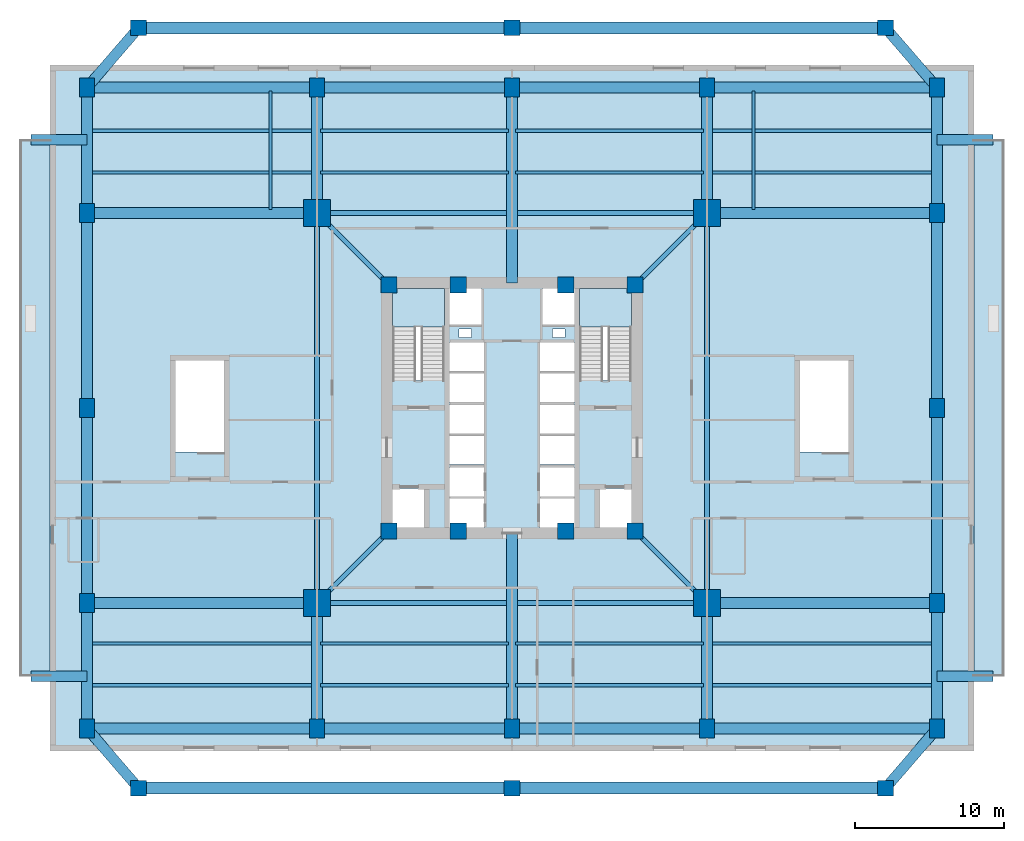
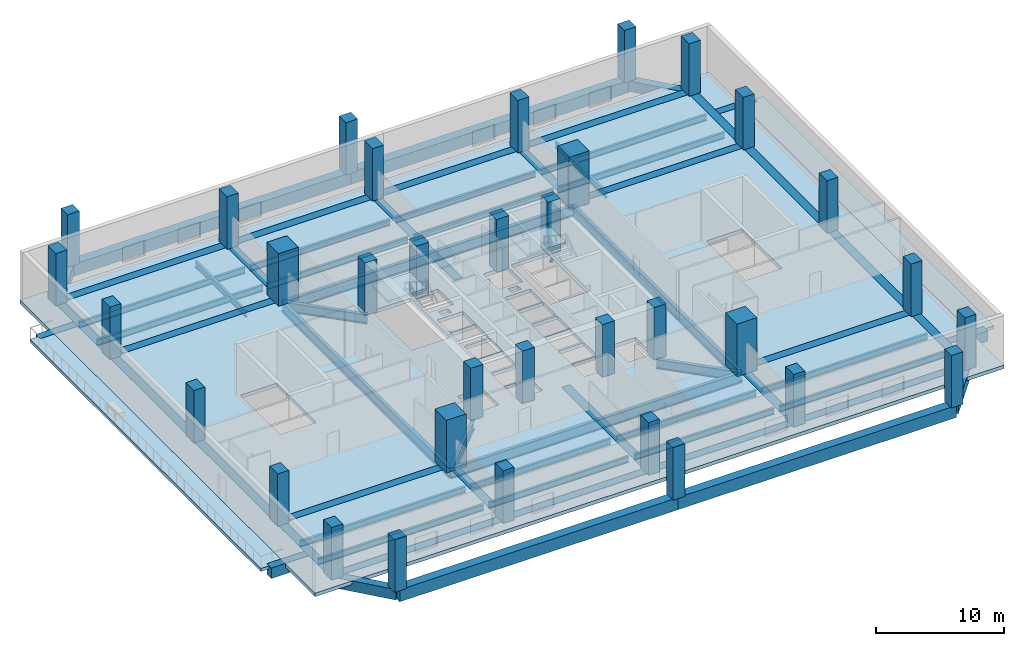
# One storey, part 1 of 8: 64 beams, 34 columns, 5 slabs, 2 elements without a shape of their own.
"""IFC4 building model written with IfcOpenShell, lengths in metres."""

from ifc_helpers import new_model, si_unit, direction, frame, origin, origin_2d, place, context, subcontext, project, spatial, polyline, rectangle, i_section, outline, extrude, source, transform, mapped, material, layer, layer_set, material_profile, profile_set, type_object, element, aggregate, save


model = new_model("IFC4")

# Units and contexts
model_context = context("Model", 3, precision=1e-05, world=origin(), true_north=direction((0.0, 1.0)))
body_context = subcontext(model_context, "Body", "Model", "MODEL_VIEW")
ifc_project = project(units=[si_unit("LENGTHUNIT", "METRE"), si_unit("AREAUNIT", "SQUARE_METRE"), si_unit("VOLUMEUNIT", "CUBIC_METRE"), si_unit("PLANEANGLEUNIT", "RADIAN"), si_unit("MASSUNIT", "GRAM", prefix="KILO"), si_unit("THERMODYNAMICTEMPERATUREUNIT", "KELVIN")], contexts=[model_context])

# Site, building, storey
site_placement = place(None, origin())
site = spatial("IfcSite", under=ifc_project, at=site_placement, CompositionType="ELEMENT")
building_placement = place(site_placement, origin())
building = spatial("IfcBuilding", under=site, at=building_placement, Name="Kosmvard Interchange Tower", CompositionType="ELEMENT")
storey_placement = place(building_placement, frame((0.0, 0.0, 21.0)))
storey = spatial("IfcBuildingStorey", under=building, at=storey_placement, Name="L04", CompositionType="ELEMENT", Elevation=21.0)

# Columns
ifc_material_1 = material(Name="Concrete C80/95", Category="concrete")
ifc_material_profile_1 = material_profile(ifc_material_1, rectangle(XDim=1.10009765625, YDim=1.10009765625, at=origin_2d()), Name="CP 1100x1100")
ifc_profile_set_1 = profile_set([ifc_material_profile_1], Name="Concrete C80/95")
column_type_1 = type_object("IfcColumnType", Name="Core Boundary Pilaster 1100x1100 C80/95", PredefinedType="PILASTER", material=ifc_profile_set_1)
shared_shape_1 = source(origin(), body_context, "Body", "SweptSolid", [
    extrude(rectangle(XDim=1.10009765625, YDim=1.10009765625, at=origin_2d()), origin(), (0.0, 0.0, 1.0), 5.0),
])
for number, where, z_axis, x_axis, name in (
    (1, (-8.25, -8.25, 0.0), (0.0, 0.0, 1.0), (1.0, 0.0, 0.0), "L04 Core Pilaster CP1"),
    (2, (8.25, -8.25, 0.0), (0.0, 0.0, 1.0), (1.0, 0.0, 0.0), "L04 Core Pilaster CP2"),
    (3, (8.25, 8.25, 0.0), (0.0, 0.0, 1.0), (1.0, 0.0, 0.0), "L04 Core Pilaster CP3"),
    (4, (-8.25, 8.25, 0.0), (0.0, 0.0, 1.0), (1.0, 0.0, 0.0), "L04 Core Pilaster CP4"),
    (5, (-3.60009765625, -8.25, 0.0), (0.0, 0.0, 1.0), (1.0, 0.0, 0.0), "L04 Core Pilaster CP5"),
    (6, (3.60009765625, -8.25, 0.0), (0.0, 0.0, 1.0), (1.0, 0.0, 0.0), "L04 Core Pilaster CP6"),
    (7, (-3.60009765625, 8.25, 0.0), (0.0, 0.0, 1.0), (1.0, 0.0, 0.0), "L04 Core Pilaster CP7"),
    (8, (3.60009765625, 8.25, 0.0), (0.0, 0.0, 1.0), (1.0, 0.0, 0.0), "L04 Core Pilaster CP8"),
):
    element("IfcColumn", number, at=place(storey_placement, frame(where, z_axis=z_axis, x_axis=x_axis)), inside=storey, type_object=column_type_1, Name=name, PredefinedType="PILASTER", context=body_context, shape_type="MappedRepresentation", body=[
        mapped(shared_shape_1, transform((0.0, 0.0, 0.0), scale=1.0)),
    ])
ifc_material_profile_2 = material_profile(ifc_material_1, rectangle(XDim=1.800048828125, YDim=1.800048828125, at=origin_2d()), Name="MC 1800x1800")
ifc_profile_set_2 = profile_set([ifc_material_profile_2], Name="Concrete C80/95")
column_type_2 = type_object("IfcColumnType", Name="Composite Mega-Column 1800x1800 C80/95", PredefinedType="COLUMN", material=ifc_profile_set_2)
shared_shape_2 = source(origin(), body_context, "Body", "SweptSolid", [
    extrude(rectangle(XDim=1.800048828125, YDim=1.800048828125, at=origin_2d()), origin(), (0.0, 0.0, 1.0), 5.0),
])
for number, where, z_axis, x_axis, name in (
    (9, (-13.0810546875, -13.0810546875, 0.0), (0.0, 0.0, 1.0), (1.0, 0.0, 0.0), "L04 Corner Mega-Column MC1"),
    (10, (13.0810546875, -13.0810546875, 0.0), (0.0, 0.0, 1.0), (1.0, 0.0, 0.0), "L04 Corner Mega-Column MC2"),
    (11, (13.0810546875, 13.0810546875, 0.0), (0.0, 0.0, 1.0), (1.0, 0.0, 0.0), "L04 Corner Mega-Column MC3"),
    (12, (-13.0810546875, 13.0810546875, 0.0), (0.0, 0.0, 1.0), (1.0, 0.0, 0.0), "L04 Corner Mega-Column MC4"),
):
    element("IfcColumn", number, at=place(storey_placement, frame(where, z_axis=z_axis, x_axis=x_axis)), inside=storey, type_object=column_type_2, Name=name, PredefinedType="COLUMN", context=body_context, shape_type="MappedRepresentation", body=[
        mapped(shared_shape_2, transform((0.0, 0.0, 0.0), scale=1.0)),
    ])
ifc_material_2 = material(Name="Concrete C60/75", Category="concrete")
ifc_material_profile_3 = material_profile(ifc_material_2, rectangle(XDim=1.0, YDim=1.25, at=origin_2d()), Name="PC 1250x1000")
ifc_profile_set_3 = profile_set([ifc_material_profile_3], Name="Concrete C60/75")
column_type_3 = type_object("IfcColumnType", Name="Podium Concourse Column 1250x1000 C60/75", PredefinedType="COLUMN", material=ifc_profile_set_3)
shared_shape_3 = source(origin(), body_context, "Body", "SweptSolid", [
    extrude(rectangle(XDim=1.0, YDim=1.25, at=origin_2d()), origin(), (0.0, 0.0, 1.0), 5.0),
])
for number, where, z_axis, x_axis, name in (
    (13, (-28.5, -21.5, 0.0), (0.0, 0.0, 1.0), (1.0, 0.0, 0.0), "L04 Podium Column PC-S1"),
    (14, (-13.0810546875, -21.5, 0.0), (0.0, 0.0, 1.0), (1.0, 0.0, 0.0), "L04 Podium Column PC-S2"),
    (15, (0.0, -21.5, 0.0), (0.0, 0.0, 1.0), (1.0, 0.0, 0.0), "L04 Podium Column PC-S3"),
    (16, (13.0810546875, -21.5, 0.0), (0.0, 0.0, 1.0), (1.0, 0.0, 0.0), "L04 Podium Column PC-S4"),
    (17, (28.5, -21.5, 0.0), (0.0, 0.0, 1.0), (1.0, 0.0, 0.0), "L04 Podium Column PC-S5"),
    (18, (-28.5, 21.5, 0.0), (0.0, 0.0, 1.0), (1.0, 0.0, 0.0), "L04 Podium Column PC-N1"),
    (19, (-13.0810546875, 21.5, 0.0), (0.0, 0.0, 1.0), (1.0, 0.0, 0.0), "L04 Podium Column PC-N2"),
    (20, (0.0, 21.5, 0.0), (0.0, 0.0, 1.0), (1.0, 0.0, 0.0), "L04 Podium Column PC-N3"),
    (21, (13.0810546875, 21.5, 0.0), (0.0, 0.0, 1.0), (1.0, 0.0, 0.0), "L04 Podium Column PC-N4"),
    (22, (28.5, 21.5, 0.0), (0.0, 0.0, 1.0), (1.0, 0.0, 0.0), "L04 Podium Column PC-N5"),
    (23, (-28.5, -13.0810546875, 0.0), (0.0, 0.0, 1.0), (1.0, 0.0, 0.0), "L04 Podium Column PC-W1"),
    (24, (-28.5, 0.0, 0.0), (0.0, 0.0, 1.0), (1.0, 0.0, 0.0), "L04 Podium Column PC-W2"),
    (25, (-28.5, 13.0810546875, 0.0), (0.0, 0.0, 1.0), (1.0, 0.0, 0.0), "L04 Podium Column PC-W3"),
    (26, (28.5, -13.0810546875, 0.0), (0.0, 0.0, 1.0), (1.0, 0.0, 0.0), "L04 Podium Column PC-E1"),
    (27, (28.5, 0.0, 0.0), (0.0, 0.0, 1.0), (1.0, 0.0, 0.0), "L04 Podium Column PC-E2"),
    (28, (28.5, 13.0810546875, 0.0), (0.0, 0.0, 1.0), (1.0, 0.0, 0.0), "L04 Podium Column PC-E3"),
):
    element("IfcColumn", number, at=place(storey_placement, frame(where, z_axis=z_axis, x_axis=x_axis)), inside=storey, type_object=column_type_3, Name=name, PredefinedType="COLUMN", context=body_context, shape_type="MappedRepresentation", body=[
        mapped(shared_shape_3, transform((0.0, 0.0, 0.0), scale=1.0)),
    ])
ifc_material_profile_4 = material_profile(ifc_material_2, rectangle(XDim=1.050048828125, YDim=1.050048828125, at=origin_2d()), Name="PC 1050x1050")
ifc_profile_set_4 = profile_set([ifc_material_profile_4], Name="Concrete C60/75")
column_type_4 = type_object("IfcColumnType", Name="Podium Perimeter Column 1050x1050 C60/75", PredefinedType="COLUMN", material=ifc_profile_set_4)
shared_shape_4 = source(origin(), body_context, "Body", "SweptSolid", [
    extrude(rectangle(XDim=1.050048828125, YDim=1.050048828125, at=origin_2d()), origin(), (0.0, 0.0, 1.0), 5.0),
])
for number, where, z_axis, x_axis, name in (
    (29, (-25.050048828125, -25.5, 0.0), (0.0, 0.0, 1.0), (1.0, 0.0, 0.0), "L04 Podium Column PC-TS1"),
    (30, (0.0, -25.5, 0.0), (0.0, 0.0, 1.0), (1.0, 0.0, 0.0), "L04 Podium Column PC-TS2"),
    (31, (25.050048828125, -25.5, 0.0), (0.0, 0.0, 1.0), (1.0, 0.0, 0.0), "L04 Podium Column PC-TS3"),
    (32, (-25.050048828125, 25.5, 0.0), (0.0, 0.0, 1.0), (1.0, 0.0, 0.0), "L04 Podium Column PC-TN1"),
    (33, (0.0, 25.5, 0.0), (0.0, 0.0, 1.0), (1.0, 0.0, 0.0), "L04 Podium Column PC-TN2"),
    (34, (25.050048828125, 25.5, 0.0), (0.0, 0.0, 1.0), (1.0, 0.0, 0.0), "L04 Podium Column PC-TN3"),
):
    element("IfcColumn", number, at=place(storey_placement, frame(where, z_axis=z_axis, x_axis=x_axis)), inside=storey, type_object=column_type_4, Name=name, PredefinedType="COLUMN", context=body_context, shape_type="MappedRepresentation", body=[
        mapped(shared_shape_4, transform((0.0, 0.0, 0.0), scale=1.0)),
    ])

# Beams
ifc_material_3 = material(Name="Steel S460", Category="steel")
ifc_material_profile_5 = material_profile(ifc_material_3, i_section(OverallWidth=0.30810546875, OverallDepth=0.909912109375, WebThickness=0.02099609375, FlangeThickness=0.0400390625, FilletRadius=0.027099609375, at=origin_2d()), Name="HEM 900")
ifc_profile_set_5 = profile_set([ifc_material_profile_5], Name="Steel S460")
beam_type_1 = type_object("IfcBeamType", Name="Primary Mega-Frame Girder HEM 900 S460", PredefinedType="BEAM", material=ifc_profile_set_5)
shared_shape_5 = source(origin(), body_context, "Body", "SweptSolid", [
    extrude(i_section(OverallWidth=0.30810546875, OverallDepth=0.909912109375, WebThickness=0.02099609375, FlangeThickness=0.0400390625, FilletRadius=0.027099609375, at=origin_2d()), origin(), (0.0, 0.0, 1.0), 6.83203125),
])
for number, where, z_axis, x_axis, name in (
    (35, (-8.25, -8.25, -0.794921875), (-0.707106781187, -0.707106781187, 0.0), (0.707106781187, -0.707106781187, 0.0), "L04 Radial Mega-Frame Girder 1"),
    (36, (8.25, -8.25, -0.794921875), (0.707106781187, -0.707106781187, 0.0), (0.707106781187, 0.707106781187, 0.0), "L04 Radial Mega-Frame Girder 2"),
    (37, (8.25, 8.25, -0.794921875), (0.707106781187, 0.707106781187, 0.0), (-0.707106781187, 0.707106781187, 0.0), "L04 Radial Mega-Frame Girder 3"),
    (38, (-8.25, 8.25, -0.794921875), (-0.707106781187, 0.707106781187, 0.0), (-0.707106781187, -0.707106781187, 0.0), "L04 Radial Mega-Frame Girder 4"),
):
    element("IfcBeam", number, at=place(storey_placement, frame(where, z_axis=z_axis, x_axis=x_axis)), inside=storey, type_object=beam_type_1, Name=name, PredefinedType="BEAM", context=body_context, shape_type="MappedRepresentation", body=[
        mapped(shared_shape_5, transform((0.0, 0.0, 0.0), scale=1.0)),
    ])
ifc_material_profile_6 = material_profile(ifc_material_3, i_section(OverallWidth=0.30908203125, OverallDepth=1.008056640625, WebThickness=0.02099609375, FlangeThickness=0.0400390625, FilletRadius=0.030029296875, at=origin_2d()), Name="HEM 1000")
ifc_profile_set_6 = profile_set([ifc_material_profile_6], Name="Steel S460")
beam_type_2 = type_object("IfcBeamType", Name="Mega-Column Ring Girder HEM 1000 S460", PredefinedType="BEAM", material=ifc_profile_set_6)
shared_shape_6 = source(origin(), body_context, "Body", "SweptSolid", [
    extrude(i_section(OverallWidth=0.30908203125, OverallDepth=1.008056640625, WebThickness=0.02099609375, FlangeThickness=0.0400390625, FilletRadius=0.030029296875, at=origin_2d()), origin(), (0.0, 0.0, 1.0), 26.162109375),
])
for number, where, z_axis, x_axis, name in (
    (39, (-13.0810546875, -13.0810546875, -0.843994140625), (1.0, 0.0, 0.0), (0.0, 1.0, 0.0), "L04 Mega-Column Ring Girder 1"),
    (40, (13.0810546875, -13.0810546875, -0.843994140625), (0.0, 1.0, 0.0), (-1.0, 0.0, 0.0), "L04 Mega-Column Ring Girder 2"),
    (41, (13.0810546875, 13.0810546875, -0.843994140625), (-1.0, 0.0, 0.0), (0.0, -1.0, 0.0), "L04 Mega-Column Ring Girder 3"),
    (42, (-13.0810546875, 13.0810546875, -0.843994140625), (0.0, -1.0, 0.0), (1.0, 0.0, 0.0), "L04 Mega-Column Ring Girder 4"),
):
    element("IfcBeam", number, at=place(storey_placement, frame(where, z_axis=z_axis, x_axis=x_axis)), inside=storey, type_object=beam_type_2, Name=name, PredefinedType="BEAM", context=body_context, shape_type="MappedRepresentation", body=[
        mapped(shared_shape_6, transform((0.0, 0.0, 0.0), scale=1.0)),
    ])
ifc_material_4 = material(Name="Steel S355", Category="steel")
ifc_material_profile_7 = material_profile(ifc_material_4, i_section(OverallWidth=0.219970703125, OverallDepth=0.60009765625, WebThickness=0.011962890625, FlangeThickness=0.01904296875, FilletRadius=0.02392578125, at=origin_2d()), Name="IPE 600")
ifc_profile_set_7 = profile_set([ifc_material_profile_7], Name="Steel S355")
beam_type_3 = type_object("IfcBeamType", Name="Long-Span Floor Joist IPE 600 S355", PredefinedType="JOIST", material=ifc_profile_set_7)
shared_shape_7 = source(origin(), body_context, "Body", "SweptSolid", [
    extrude(i_section(OverallWidth=0.219970703125, OverallDepth=0.60009765625, WebThickness=0.011962890625, FlangeThickness=0.01904296875, FilletRadius=0.02392578125, at=origin_2d()), origin(), (0.0, 0.0, 1.0), 14.949951171875),
])
for number, where, z_axis, x_axis, name in (
    (43, (-28.25, -18.60009765625, -0.639892578125), (1.0, 0.0, 0.0), (0.0, 1.0, 0.0), "BM-L04-PJ01"),
    (44, (13.300048828125, -18.60009765625, -0.639892578125), (1.0, 0.0, 0.0), (0.0, 1.0, 0.0), "BM-L04-PJ04"),
    (45, (-28.25, -15.800048828125, -0.639892578125), (1.0, 0.0, 0.0), (0.0, 1.0, 0.0), "BM-L04-PJ05"),
    (46, (13.300048828125, -15.800048828125, -0.639892578125), (1.0, 0.0, 0.0), (0.0, 1.0, 0.0), "BM-L04-PJ08"),
    (47, (-28.25, 15.800048828125, -0.639892578125), (1.0, 0.0, 0.0), (0.0, 1.0, 0.0), "BM-L04-PJ09"),
    (48, (13.300048828125, 15.800048828125, -0.639892578125), (1.0, 0.0, 0.0), (0.0, 1.0, 0.0), "BM-L04-PJ12"),
    (49, (-28.25, 18.60009765625, -0.639892578125), (1.0, 0.0, 0.0), (0.0, 1.0, 0.0), "BM-L04-PJ13"),
    (50, (13.300048828125, 18.60009765625, -0.639892578125), (1.0, 0.0, 0.0), (0.0, 1.0, 0.0), "BM-L04-PJ16"),
):
    element("IfcBeam", number, at=place(storey_placement, frame(where, z_axis=z_axis, x_axis=x_axis)), inside=storey, type_object=beam_type_3, Name=name, PredefinedType="JOIST", context=body_context, shape_type="MappedRepresentation", body=[
        mapped(shared_shape_7, transform((0.0, 0.0, 0.0), scale=1.0)),
    ])
shared_shape_8 = source(origin(), body_context, "Body", "SweptSolid", [
    extrude(i_section(OverallWidth=0.219970703125, OverallDepth=0.60009765625, WebThickness=0.011962890625, FlangeThickness=0.01904296875, FilletRadius=0.02392578125, at=origin_2d()), origin(), (0.0, 0.0, 1.0), 12.60009765625),
])
for number, where, z_axis, x_axis, name in (
    (51, (-12.85009765625, -18.60009765625, -0.639892578125), (1.0, 0.0, 0.0), (0.0, 1.0, 0.0), "BM-L04-PJ02"),
    (52, (0.25, -18.60009765625, -0.639892578125), (1.0, 0.0, 0.0), (0.0, 1.0, 0.0), "BM-L04-PJ03"),
    (53, (-12.85009765625, -15.800048828125, -0.639892578125), (1.0, 0.0, 0.0), (0.0, 1.0, 0.0), "BM-L04-PJ06"),
    (54, (0.25, -15.800048828125, -0.639892578125), (1.0, 0.0, 0.0), (0.0, 1.0, 0.0), "BM-L04-PJ07"),
    (55, (-12.85009765625, 15.800048828125, -0.639892578125), (1.0, 0.0, 0.0), (0.0, 1.0, 0.0), "BM-L04-PJ10"),
    (56, (0.25, 15.800048828125, -0.639892578125), (1.0, 0.0, 0.0), (0.0, 1.0, 0.0), "BM-L04-PJ11"),
    (57, (-12.85009765625, 18.60009765625, -0.639892578125), (1.0, 0.0, 0.0), (0.0, 1.0, 0.0), "BM-L04-PJ14"),
    (58, (0.25, 18.60009765625, -0.639892578125), (1.0, 0.0, 0.0), (0.0, 1.0, 0.0), "BM-L04-PJ15"),
):
    element("IfcBeam", number, at=place(storey_placement, frame(where, z_axis=z_axis, x_axis=x_axis)), inside=storey, type_object=beam_type_3, Name=name, PredefinedType="JOIST", context=body_context, shape_type="MappedRepresentation", body=[
        mapped(shared_shape_8, transform((0.0, 0.0, 0.0), scale=1.0)),
    ])
shared_shape_9 = source(origin(), body_context, "Body", "SweptSolid", [
    extrude(i_section(OverallWidth=0.219970703125, OverallDepth=0.60009765625, WebThickness=0.011962890625, FlangeThickness=0.01904296875, FilletRadius=0.02392578125, at=origin_2d()), origin(), (0.0, 0.0, 1.0), 7.949951171875),
])
for number, where, z_axis, x_axis, name in (
    (59, (-16.199951171875, 13.300048828125, -0.639892578125), (0.0, 1.0, 0.0), (-1.0, 0.0, 0.0), "BM-L04-PJ17"),
    (60, (16.199951171875, 13.300048828125, -0.639892578125), (0.0, 1.0, 0.0), (-1.0, 0.0, 0.0), "BM-L04-PJ18"),
):
    element("IfcBeam", number, at=place(storey_placement, frame(where, z_axis=z_axis, x_axis=x_axis)), inside=storey, type_object=beam_type_3, Name=name, PredefinedType="JOIST", context=body_context, shape_type="MappedRepresentation", body=[
        mapped(shared_shape_9, transform((0.0, 0.0, 0.0), scale=1.0)),
    ])
ifc_material_profile_8 = material_profile(ifc_material_2, rectangle(XDim=0.75, YDim=1.050048828125, at=origin_2d()), Name="RCG 750x1050")
ifc_profile_set_8 = profile_set([ifc_material_profile_8], Name="Concrete C60/75")
beam_type_4 = type_object("IfcBeamType", Name="Concourse Mid-Span RC Girder 750x1050 C60/75", PredefinedType="BEAM", material=ifc_profile_set_8)
shared_shape_10 = source(origin(), body_context, "Body", "SweptSolid", [
    extrude(rectangle(XDim=0.75, YDim=1.050048828125, at=origin_2d()), origin(), (0.0, 0.0, 1.0), 15.4189453125),
])
for number, where, z_axis, x_axis, name in (
    (61, (-28.5, -21.5, -0.52490234375), (1.0, 0.0, 0.0), (0.0, 1.0, 0.0), "BM-L04-PG-S1"),
    (62, (13.0810546875, -21.5, -0.52490234375), (1.0, 0.0, 0.0), (0.0, 1.0, 0.0), "BM-L04-PG-S4"),
    (63, (-28.5, 21.5, -0.52490234375), (1.0, 0.0, 0.0), (0.0, 1.0, 0.0), "BM-L04-PG-N1"),
    (64, (13.0810546875, 21.5, -0.52490234375), (1.0, 0.0, 0.0), (0.0, 1.0, 0.0), "BM-L04-PG-N4"),
    (65, (-28.5, -13.0810546875, -0.52490234375), (1.0, 0.0, 0.0), (0.0, 1.0, 0.0), "BM-L04-PG-CW1"),
    (66, (-28.5, 13.0810546875, -0.52490234375), (1.0, 0.0, 0.0), (0.0, 1.0, 0.0), "BM-L04-PG-CW2"),
    (67, (28.5, -13.0810546875, -0.52490234375), (-1.0, 0.0, 0.0), (0.0, -1.0, 0.0), "BM-L04-PG-CE1"),
    (68, (28.5, 13.0810546875, -0.52490234375), (-1.0, 0.0, 0.0), (0.0, -1.0, 0.0), "BM-L04-PG-CE2"),
):
    element("IfcBeam", number, at=place(storey_placement, frame(where, z_axis=z_axis, x_axis=x_axis)), inside=storey, type_object=beam_type_4, Name=name, PredefinedType="BEAM", context=body_context, shape_type="MappedRepresentation", body=[
        mapped(shared_shape_10, transform((0.0, 0.0, 0.0), scale=1.0)),
    ])
shared_shape_11 = source(origin(), body_context, "Body", "SweptSolid", [
    extrude(rectangle(XDim=0.75, YDim=1.050048828125, at=origin_2d()), origin(), (0.0, 0.0, 1.0), 13.0810546875),
])
for number, where, z_axis, x_axis, name in (
    (69, (-13.0810546875, -21.5, -0.52490234375), (1.0, 0.0, 0.0), (0.0, 1.0, 0.0), "BM-L04-PG-S2"),
    (70, (0.0, -21.5, -0.52490234375), (1.0, 0.0, 0.0), (0.0, 1.0, 0.0), "BM-L04-PG-S3"),
    (71, (-13.0810546875, 21.5, -0.52490234375), (1.0, 0.0, 0.0), (0.0, 1.0, 0.0), "BM-L04-PG-N2"),
    (72, (0.0, 21.5, -0.52490234375), (1.0, 0.0, 0.0), (0.0, 1.0, 0.0), "BM-L04-PG-N3"),
    (73, (-28.5, -13.0810546875, -0.52490234375), (0.0, 1.0, 0.0), (-1.0, 0.0, 0.0), "BM-L04-PG-W2"),
    (74, (-28.5, 0.0, -0.52490234375), (0.0, 1.0, 0.0), (-1.0, 0.0, 0.0), "BM-L04-PG-W3"),
    (75, (28.5, -13.0810546875, -0.52490234375), (0.0, 1.0, 0.0), (-1.0, 0.0, 0.0), "BM-L04-PG-E2"),
    (76, (28.5, 0.0, -0.52490234375), (0.0, 1.0, 0.0), (-1.0, 0.0, 0.0), "BM-L04-PG-E3"),
):
    element("IfcBeam", number, at=place(storey_placement, frame(where, z_axis=z_axis, x_axis=x_axis)), inside=storey, type_object=beam_type_4, Name=name, PredefinedType="BEAM", context=body_context, shape_type="MappedRepresentation", body=[
        mapped(shared_shape_11, transform((0.0, 0.0, 0.0), scale=1.0)),
    ])
shared_shape_12 = source(origin(), body_context, "Body", "SweptSolid", [
    extrude(rectangle(XDim=0.75, YDim=1.050048828125, at=origin_2d()), origin(), (0.0, 0.0, 1.0), 8.4189453125),
])
for number, where, z_axis, x_axis, name in (
    (77, (-28.5, -21.5, -0.52490234375), (0.0, 1.0, 0.0), (-1.0, 0.0, 0.0), "BM-L04-PG-W1"),
    (78, (-28.5, 13.0810546875, -0.52490234375), (0.0, 1.0, 0.0), (-1.0, 0.0, 0.0), "BM-L04-PG-W4"),
    (79, (28.5, -21.5, -0.52490234375), (0.0, 1.0, 0.0), (-1.0, 0.0, 0.0), "BM-L04-PG-E1"),
    (80, (28.5, 13.0810546875, -0.52490234375), (0.0, 1.0, 0.0), (-1.0, 0.0, 0.0), "BM-L04-PG-E4"),
    (81, (-13.0810546875, -21.5, -0.52490234375), (0.0, 1.0, 0.0), (-1.0, 0.0, 0.0), "BM-L04-PG-CS1"),
    (82, (13.0810546875, -21.5, -0.52490234375), (0.0, 1.0, 0.0), (-1.0, 0.0, 0.0), "BM-L04-PG-CS2"),
    (83, (-13.0810546875, 21.5, -0.52490234375), (0.0, -1.0, 0.0), (1.0, 0.0, 0.0), "BM-L04-PG-CN1"),
    (84, (13.0810546875, 21.5, -0.52490234375), (0.0, -1.0, 0.0), (1.0, 0.0, 0.0), "BM-L04-PG-CN2"),
):
    element("IfcBeam", number, at=place(storey_placement, frame(where, z_axis=z_axis, x_axis=x_axis)), inside=storey, type_object=beam_type_4, Name=name, PredefinedType="BEAM", context=body_context, shape_type="MappedRepresentation", body=[
        mapped(shared_shape_12, transform((0.0, 0.0, 0.0), scale=1.0)),
    ])
shared_shape_13 = source(origin(), body_context, "Body", "SweptSolid", [
    extrude(rectangle(XDim=0.75, YDim=1.050048828125, at=origin_2d()), origin(), (0.0, 0.0, 1.0), 13.10009765625),
])
for number, where, z_axis, x_axis, name in (
    (85, (0.0, -21.5, -0.52490234375), (0.0, 1.0, 0.0), (-1.0, 0.0, 0.0), "BM-L04-PG-MS"),
    (86, (0.0, 21.5, -0.52490234375), (0.0, -1.0, 0.0), (1.0, 0.0, 0.0), "BM-L04-PG-MN"),
):
    element("IfcBeam", number, at=place(storey_placement, frame(where, z_axis=z_axis, x_axis=x_axis)), inside=storey, type_object=beam_type_4, Name=name, PredefinedType="BEAM", context=body_context, shape_type="MappedRepresentation", body=[
        mapped(shared_shape_13, transform((0.0, 0.0, 0.0), scale=1.0)),
    ])
ifc_material_profile_9 = material_profile(ifc_material_2, rectangle(XDim=0.800048828125, YDim=1.14990234375, at=origin_2d()), Name="RCG 800x1150")
ifc_profile_set_9 = profile_set([ifc_material_profile_9], Name="Concrete C60/75")
beam_type_5 = type_object("IfcBeamType", Name="Concourse Long-Span RC Girder 800x1150 C60/75", PredefinedType="BEAM", material=ifc_profile_set_9)
shared_shape_14 = source(origin(), body_context, "Body", "SweptSolid", [
    extrude(rectangle(XDim=0.800048828125, YDim=1.14990234375, at=origin_2d()), origin(), (0.0, 0.0, 1.0), 25.050048828125),
])
for number, where, z_axis, x_axis, name in (
    (87, (-25.050048828125, -25.5, -0.574951171875), (1.0, 0.0, 0.0), (0.0, 1.0, 0.0), "BM-L04-PG-TS1"),
    (88, (0.0, -25.5, -0.574951171875), (1.0, 0.0, 0.0), (0.0, 1.0, 0.0), "BM-L04-PG-TS2"),
    (89, (-25.050048828125, 25.5, -0.574951171875), (1.0, 0.0, 0.0), (0.0, 1.0, 0.0), "BM-L04-PG-TN1"),
    (90, (0.0, 25.5, -0.574951171875), (1.0, 0.0, 0.0), (0.0, 1.0, 0.0), "BM-L04-PG-TN2"),
):
    element("IfcBeam", number, at=place(storey_placement, frame(where, z_axis=z_axis, x_axis=x_axis)), inside=storey, type_object=beam_type_5, Name=name, PredefinedType="BEAM", context=body_context, shape_type="MappedRepresentation", body=[
        mapped(shared_shape_14, transform((0.0, 0.0, 0.0), scale=1.0)),
    ])
ifc_material_profile_10 = material_profile(ifc_material_2, rectangle(XDim=0.699951171875, YDim=1.0, at=origin_2d()), Name="RCG 700x1000")
ifc_profile_set_10 = profile_set([ifc_material_profile_10], Name="Concrete C60/75")
beam_type_6 = type_object("IfcBeamType", Name="Concourse Primary RC Girder 700x1000 C60/75", PredefinedType="BEAM", material=ifc_profile_set_10)
shared_shape_15 = source(origin(), body_context, "Body", "SweptSolid", [
    extrude(rectangle(XDim=0.699951171875, YDim=1.0, at=origin_2d()), origin(), (0.0, 0.0, 1.0), 5.2822265625),
])
for number, where, z_axis, x_axis, name in (
    (91, (-25.050048828125, -25.5, -0.5), (-0.653121547432, 0.757253091298, 0.0), (-0.757253091298, -0.653121547432, 0.0), "BM-L04-PG-TSL"),
    (92, (25.050048828125, -25.5, -0.5), (0.653121547432, 0.757253091298, 0.0), (-0.757253091298, 0.653121547432, 0.0), "BM-L04-PG-TSR"),
    (93, (-25.050048828125, 25.5, -0.5), (-0.653121547432, -0.757253091298, 0.0), (0.757253091298, -0.653121547432, 0.0), "BM-L04-PG-TNL"),
    (94, (25.050048828125, 25.5, -0.5), (0.653121547432, -0.757253091298, 0.0), (0.757253091298, 0.653121547432, 0.0), "BM-L04-PG-TNR"),
):
    element("IfcBeam", number, at=place(storey_placement, frame(where, z_axis=z_axis, x_axis=x_axis)), inside=storey, type_object=beam_type_6, Name=name, PredefinedType="BEAM", context=body_context, shape_type="MappedRepresentation", body=[
        mapped(shared_shape_15, transform((0.0, 0.0, 0.0), scale=1.0)),
    ])
shared_shape_16 = source(origin(), body_context, "Body", "SweptSolid", [
    extrude(rectangle(XDim=0.699951171875, YDim=1.0, at=origin_2d()), origin(), (0.0, 0.0, 1.0), 3.75),
])
for number, where, z_axis, x_axis, name in (
    (95, (-28.5, -18.0, -0.5), (-1.0, 0.0, 0.0), (0.0, -1.0, 0.0), "BM-L04-PG-TCW11"),
    (96, (-28.5, 18.0, -0.5), (-1.0, 0.0, 0.0), (0.0, -1.0, 0.0), "BM-L04-PG-TCW31"),
    (97, (28.5, -18.0, -0.5), (1.0, 0.0, 0.0), (0.0, 1.0, 0.0), "BM-L04-PG-TCE11"),
    (98, (28.5, 18.0, -0.5), (1.0, 0.0, 0.0), (0.0, 1.0, 0.0), "BM-L04-PG-TCE31"),
):
    element("IfcBeam", number, at=place(storey_placement, frame(where, z_axis=z_axis, x_axis=x_axis)), inside=storey, type_object=beam_type_6, Name=name, PredefinedType="BEAM", context=body_context, shape_type="MappedRepresentation", body=[
        mapped(shared_shape_16, transform((0.0, 0.0, 0.0), scale=1.0)),
    ])

# Slabs
ifc_material_5 = material(Name="Precast concrete C45/55", Category="concrete")
ifc_layer_1 = layer(ifc_material_5, 0.2900390625, Name="Precast concrete C45/55")
ifc_layer_set_1 = layer_set([ifc_layer_1], Name="Precast concrete C45/55")
slab_type_1 = type_object("IfcSlabType", Name="Cascade Garden Terrace Slab 290 C45/55", PredefinedType="FLOOR", material=ifc_layer_set_1)
slab_1_placement = place(storey_placement, frame((0.0, 0.0, -0.2900390625)))
element("IfcSlab", 99, at=slab_1_placement, inside=storey, type_object=slab_type_1, Name="L04 Outdoor Terrace Balcony Slab TER-L04-W", PredefinedType="FLOOR", context=body_context, shape_type="SweptSolid", body=[
    extrude(outline(polyline([(-33.0, -18.0), (-31.0, -18.0), (-31.0, 18.0), (-33.0, 18.0), (-33.0, -18.0)])), origin(), (0.0, 0.0, 1.0), 0.2900390625),
])
slab_2_placement = place(storey_placement, frame((0.0, 0.0, -0.2900390625)))
element("IfcSlab", 100, at=slab_2_placement, inside=storey, type_object=slab_type_1, Name="L04 Outdoor Terrace Balcony Slab TER-L04-E", PredefinedType="FLOOR", context=body_context, shape_type="SweptSolid", body=[
    extrude(outline(polyline([(31.0, -18.0), (33.0, -18.0), (33.0, 18.0), (31.0, 18.0), (31.0, -18.0)])), origin(), (0.0, 0.0, 1.0), 0.2900390625),
])
ifc_material_6 = material(Name="Concrete C50/60", Category="concrete")
ifc_layer_2 = layer(ifc_material_6, 0.340087890625, Name="Concrete C50/60")
ifc_layer_set_2 = layer_set([ifc_layer_2], Name="Concrete C50/60")
slab_type_2 = type_object("IfcSlabType", Name="Podium Commercial Floor Slab 340 C50/60", PredefinedType="FLOOR", material=ifc_layer_set_2)
slab_3_placement = place(storey_placement, frame((0.0, 0.0, -0.340087890625)))
element("IfcSlab", 101, at=slab_3_placement, inside=storey, type_object=slab_type_2, Name="L04 Structural Floor Slab", PredefinedType="FLOOR", context=body_context, shape_type="SweptSolid", body=[
    extrude(outline(polyline([(-31.0, -23.0), (31.0, -23.0), (31.0, 23.0), (-31.0, 23.0), (-31.0, -23.0)]), holes=[polyline([(-8.0, 1.8349609375), (-4.5400390625, 1.8349609375), (-4.5400390625, 8.0), (-8.0, 8.0), (-8.0, 1.8349609375)]), polyline([(4.5400390625, 1.8349609375), (8.0, 1.8349609375), (8.0, 8.0), (4.5400390625, 8.0), (4.5400390625, 1.8349609375)]), polyline([(-22.580078125, -2.965087890625), (-19.320068359375, -2.965087890625), (-19.320068359375, 3.199951171875), (-22.580078125, 3.199951171875), (-22.580078125, -2.965087890625)]), polyline([(19.320068359375, -2.965087890625), (22.580078125, -2.965087890625), (22.580078125, 3.199951171875), (19.320068359375, 3.199951171875), (19.320068359375, -2.965087890625)]), polyline([(-8.0, -8.0), (-5.800048828125, -8.0), (-5.800048828125, -5.39990234375), (-8.0, -5.39990234375), (-8.0, -8.0)]), polyline([(5.800048828125, -8.0), (8.0, -8.0), (8.0, -5.39990234375), (5.800048828125, -5.39990234375), (5.800048828125, -8.0)]), polyline([(-4.179931640625, -8.0), (-1.8798828125, -8.0), (-1.8798828125, -6.06005859375), (-4.179931640625, -6.06005859375), (-4.179931640625, -8.0)]), polyline([(-4.179931640625, -5.93994140625), (-1.8798828125, -5.93994140625), (-1.8798828125, -4.0), (-4.179931640625, -4.0), (-4.179931640625, -5.93994140625)]), polyline([(1.8798828125, -8.0), (4.179931640625, -8.0), (4.179931640625, -6.06005859375), (1.8798828125, -6.06005859375), (1.8798828125, -8.0)]), polyline([(1.8798828125, -5.93994140625), (4.179931640625, -5.93994140625), (4.179931640625, -4.0), (1.8798828125, -4.0), (1.8798828125, -5.93994140625)]), polyline([(-4.179931640625, -3.800048828125), (-1.8798828125, -3.800048828125), (-1.8798828125, -1.860107421875), (-4.179931640625, -1.860107421875), (-4.179931640625, -3.800048828125)]), polyline([(-4.179931640625, -1.739990234375), (-1.8798828125, -1.739990234375), (-1.8798828125, 0.199951171875), (-4.179931640625, 0.199951171875), (-4.179931640625, -1.739990234375)]), polyline([(1.8798828125, -3.800048828125), (4.179931640625, -3.800048828125), (4.179931640625, -1.860107421875), (1.8798828125, -1.860107421875), (1.8798828125, -3.800048828125)]), polyline([(1.8798828125, -1.739990234375), (4.179931640625, -1.739990234375), (4.179931640625, 0.199951171875), (1.8798828125, 0.199951171875), (1.8798828125, -1.739990234375)]), polyline([(-4.179931640625, 0.39990234375), (-1.8798828125, 0.39990234375), (-1.8798828125, 2.340087890625), (-4.179931640625, 2.340087890625), (-4.179931640625, 0.39990234375)]), polyline([(-4.179931640625, 2.4599609375), (-1.8798828125, 2.4599609375), (-1.8798828125, 4.39990234375), (-4.179931640625, 4.39990234375), (-4.179931640625, 2.4599609375)]), polyline([(1.8798828125, 0.39990234375), (4.179931640625, 0.39990234375), (4.179931640625, 2.340087890625), (1.8798828125, 2.340087890625), (1.8798828125, 0.39990234375)]), polyline([(1.8798828125, 2.4599609375), (4.179931640625, 2.4599609375), (4.179931640625, 4.39990234375), (1.8798828125, 4.39990234375), (1.8798828125, 2.4599609375)]), polyline([(-4.179931640625, 5.60009765625), (-2.0400390625, 5.60009765625), (-2.0400390625, 8.0), (-4.179931640625, 8.0), (-4.179931640625, 5.60009765625)]), polyline([(2.0400390625, 5.60009765625), (4.179931640625, 5.60009765625), (4.179931640625, 8.0), (2.0400390625, 8.0), (2.0400390625, 5.60009765625)]), polyline([(-3.56494140625, 4.739990234375), (-2.715087890625, 4.739990234375), (-2.715087890625, 5.2900390625), (-3.56494140625, 5.2900390625), (-3.56494140625, 4.739990234375)]), polyline([(2.715087890625, 4.739990234375), (3.56494140625, 4.739990234375), (3.56494140625, 5.2900390625), (2.715087890625, 5.2900390625), (2.715087890625, 4.739990234375)])]), origin(), (0.0, 0.0, 1.0), 0.340087890625),
])

# Stair, slab
stair_type = type_object("IfcStairType", Name="Dog-Leg Core Exit Stair H5000 C50/60", PredefinedType="HALF_TURN_STAIR", material=ifc_material_6)
stair_1_placement = place(storey_placement, origin())
stair_1 = element("IfcStair", 102, at=stair_1_placement, inside=storey, type_object=stair_type, Name="L04 Protected Exit Stair ST-1", PredefinedType="HALF_TURN_STAIR")
ifc_layer_3 = layer(ifc_material_6, 0.199951171875, Name="Concrete C50/60")
ifc_layer_set_3 = layer_set([ifc_layer_3], Name="Concrete C50/60")
slab_type_3 = type_object("IfcSlabType", Name="Stair Half-Landing Slab 200 C50/60", PredefinedType="LANDING", material=ifc_layer_set_3)
slab_4_placement = place(storey_placement, frame((0.0, 0.0, 2.300048828125)))
slab_4 = element("IfcSlab", 103, at=slab_4_placement, type_object=slab_type_3, Name="ST-1 landing 1", PredefinedType="LANDING", context=body_context, shape_type="SweptSolid", body=[
    extrude(outline(polyline([(-4.5400390625, 5.43994140625), (-4.5400390625, 8.0), (-8.0, 8.0), (-8.0, 5.43994140625), (-4.5400390625, 5.43994140625)])), origin(), (0.0, 0.0, 1.0), 0.199951171875),
])
aggregate(stair_1, [slab_4])

stair_2_placement = place(storey_placement, origin())
stair_2 = element("IfcStair", 104, at=stair_2_placement, inside=storey, type_object=stair_type, Name="L04 Protected Exit Stair ST-2", PredefinedType="HALF_TURN_STAIR")
slab_5_placement = place(storey_placement, frame((0.0, 0.0, 2.300048828125)))
slab_5 = element("IfcSlab", 105, at=slab_5_placement, type_object=slab_type_3, Name="ST-2 landing 1", PredefinedType="LANDING", context=body_context, shape_type="SweptSolid", body=[
    extrude(outline(polyline([(8.0, 5.43994140625), (8.0, 8.0), (4.5400390625, 8.0), (4.5400390625, 5.43994140625), (8.0, 5.43994140625)])), origin(), (0.0, 0.0, 1.0), 0.199951171875),
])
aggregate(stair_2, [slab_5])

save(model, "model.ifc")
